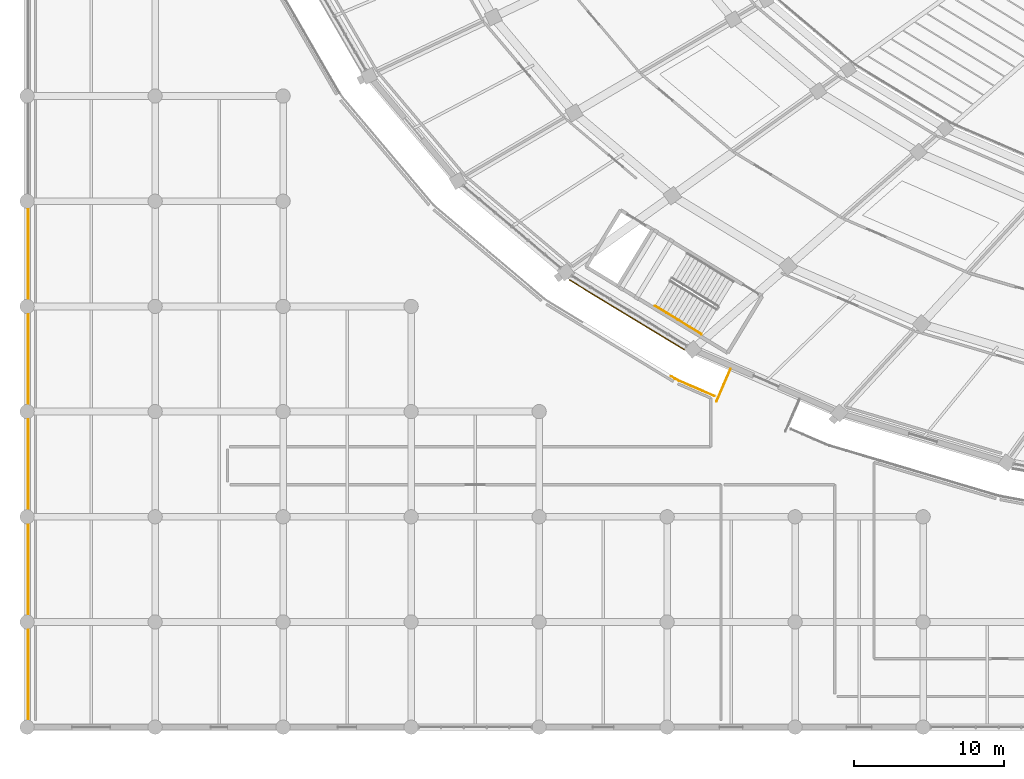
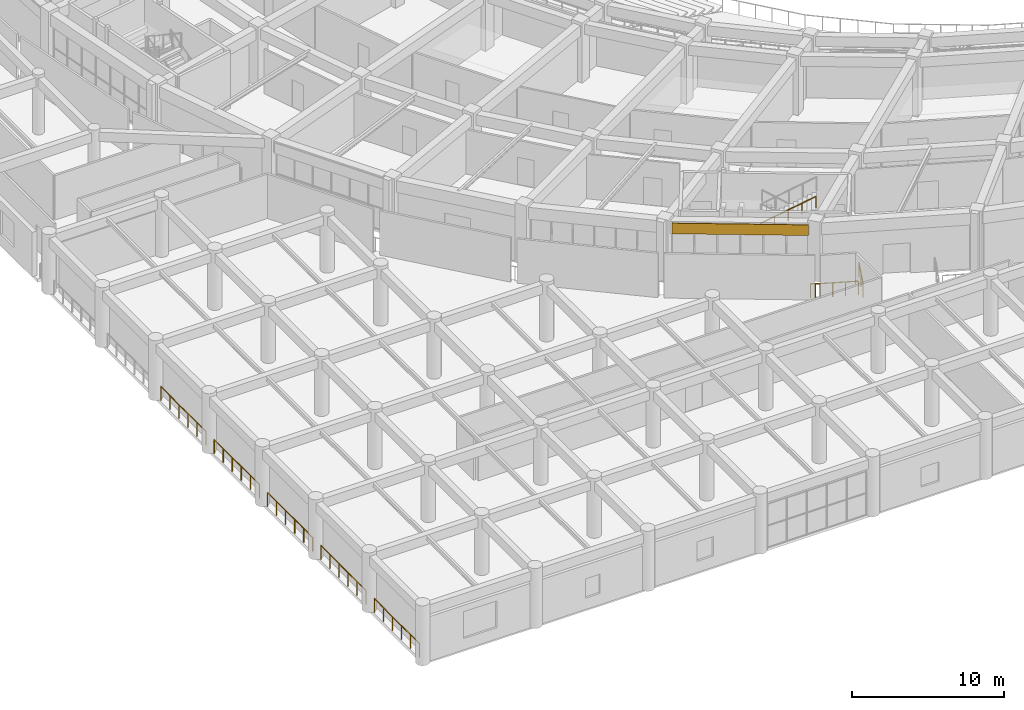
# One storey, part 120 of 152: 8 railings, 1 covering.
"""IFC4 building model written with IfcOpenShell, lengths in metres."""

from ifc_helpers import new_model, si_unit, direction, frame, origin, origin_2d, place, context, subcontext, project, spatial, rectangle, circle, extrude, material, layer, layer_set, type_object, element, save


model = new_model("IFC4")

# Units and contexts
model_context = context("Model", 3, precision=1e-05, world=origin(), true_north=direction((0.0, 1.0)))
body_context = subcontext(model_context, "Body", "Model", "MODEL_VIEW")
ifc_project = project(units=[si_unit("LENGTHUNIT", "METRE"), si_unit("AREAUNIT", "SQUARE_METRE"), si_unit("VOLUMEUNIT", "CUBIC_METRE"), si_unit("PLANEANGLEUNIT", "RADIAN"), si_unit("MASSUNIT", "GRAM", prefix="KILO")], contexts=[model_context])

# Site, building, storey
site_placement = place(None, origin())
site = spatial("IfcSite", under=ifc_project, at=site_placement, CompositionType="ELEMENT")
building_placement = place(site_placement, origin())
building = spatial("IfcBuilding", under=site, at=building_placement, Name="Mphavela Belvedere Stadium", CompositionType="ELEMENT")
storey_placement = place(building_placement, frame((0.0, 0.0, 5.39990234375)))
storey = spatial("IfcBuildingStorey", under=building, at=storey_placement, Name="L01", CompositionType="ELEMENT", Elevation=5.39990234375)

# Covering
ifc_material_1 = material(Name="Carved classical limestone entablature frieze cladding", Category="masonry")
ifc_layer = layer(ifc_material_1, 0.06005859375)
ifc_layer_set = layer_set([ifc_layer], Name="Carved classical limestone entablature frieze cladding")
covering_type = type_object("IfcCoveringType", Name="COV-FRIEZE-CLAD", PredefinedType="CLADDING", material=ifc_layer_set)
covering_placement = place(storey_placement, frame((39.90771484375, 27.43896484375, 3.594970703125), z_axis=(0.0, 0.0, 1.0), x_axis=(0.854368143929, -0.519668235165, 0.0)))
element("IfcCovering", 1, at=covering_placement, inside=storey, type_object=covering_type, Name="Classical entablature frieze cladding L01-31", PredefinedType="CLADDING", context=body_context, shape_type="SweptSolid", body=[
    extrude(rectangle(XDim=8.955810546875, YDim=0.06005859375, at=origin_2d()), origin(), (0.0, 0.0, 1.0), 0.85009765625),
])

# Railings
ifc_material_2 = material(Name="Bronze and laminated glass stadium balustrade", Category="glass")
railing_type_1 = type_object("IfcRailingType", Name="RAL-BALUSTRADE-1120", PredefinedType="BALUSTRADE", material=ifc_material_2)
railing_1_placement = place(storey_placement, frame((46.809814453125, 23.834716796875, 0.0)))
element("IfcRailing", 2, at=railing_1_placement, inside=storey, type_object=railing_type_1, Name="Colonnade link bridge balustrade L01-32A", PredefinedType="BALUSTRADE", context=body_context, shape_type="SweptSolid", body=[
    extrude(circle(Radius=0.02392578125, at=origin_2d()), frame((0.0, 0.0, 1.09619140625), z_axis=(-0.397802772945, -0.91747095531, 0.0), x_axis=(0.91747095531, -0.397802772945, 0.0)), (0.0, 0.0, 1.0), 2.349853515625),
    extrude(circle(Radius=0.02099609375, at=origin_2d()), origin(), (0.0, 0.0, 1.0), 1.072021484375),
    extrude(circle(Radius=0.02099609375, at=origin_2d()), frame((-0.46728515625, -1.078125, 0.0)), (0.0, 0.0, 1.0), 1.072021484375),
    extrude(circle(Radius=0.02099609375, at=origin_2d()), frame((-0.934814453125, -2.156005859375, 0.0)), (0.0, 0.0, 1.0), 1.072021484375),
])
railing_2_placement = place(storey_placement, frame((42.868896484375, 23.34326171875, 0.0)))
element("IfcRailing", 3, at=railing_2_placement, inside=storey, type_object=railing_type_1, Name="Peristyle wing gallery edge balustrade L01-02", PredefinedType="BALUSTRADE", context=body_context, shape_type="SweptSolid", body=[
    extrude(circle(Radius=0.02392578125, at=origin_2d()), frame((0.0, 0.0, 1.09619140625), z_axis=(0.85487840282, -0.518828407464, 0.0), x_axis=(0.518828407464, 0.85487840282, 0.0)), (0.0, 0.0, 1.0), 0.2978515625),
    extrude(circle(Radius=0.02392578125, at=origin_2d()), frame((0.254638671875, -0.154541015625, 1.09619140625), z_axis=(0.887994409277, -0.459854247661, 0.0), x_axis=(0.459854247661, 0.887994409277, 0.0)), (0.0, 0.0, 1.0), 0.307861328125),
    extrude(circle(Radius=0.02392578125, at=origin_2d()), frame((0.528076171875, -0.296142578125, 1.09619140625), z_axis=(0.917490104343, -0.397758605731, 0.0), x_axis=(0.397758605731, 0.917490104343, 0.0)), (0.0, 0.0, 1.0), 2.5380859375),
    extrude(circle(Radius=0.02099609375, at=origin_2d()), origin(), (0.0, 0.0, 1.0), 1.072021484375),
    extrude(circle(Radius=0.02099609375, at=origin_2d()), frame((0.254638671875, -0.154541015625, 0.0)), (0.0, 0.0, 1.0), 1.072021484375),
    extrude(circle(Radius=0.02099609375, at=origin_2d()), frame((0.528076171875, -0.296142578125, 0.0)), (0.0, 0.0, 1.0), 1.072021484375),
    extrude(circle(Radius=0.02099609375, at=origin_2d()), frame((1.30419921875, -0.632568359375, 0.0)), (0.0, 0.0, 1.0), 1.072021484375),
    extrude(circle(Radius=0.02099609375, at=origin_2d()), frame((2.08056640625, -0.96923828125, 0.0)), (0.0, 0.0, 1.0), 1.072021484375),
    extrude(circle(Radius=0.02099609375, at=origin_2d()), frame((2.856689453125, -1.3056640625, 0.0)), (0.0, 0.0, 1.0), 1.072021484375),
])
for number, where, name in (
    (4, (0.080078125, 0.54345703125, 0.0), "Peristyle wing gallery edge balustrade L01-16"),
    (5, (0.080078125, 7.54345703125, 0.0), "Peristyle wing gallery edge balustrade L01-17"),
    (6, (0.080078125, 14.54345703125, 0.0), "Peristyle wing gallery edge balustrade L01-18"),
    (7, (0.080078125, 21.54345703125, 0.0), "Peristyle wing gallery edge balustrade L01-19"),
    (8, (0.080078125, 28.54345703125, 0.0), "Peristyle wing gallery edge balustrade L01-20"),
):
    element("IfcRailing", number, at=place(storey_placement, frame(where)), inside=storey, type_object=railing_type_1, Name=name, PredefinedType="BALUSTRADE", context=body_context, shape_type="SweptSolid", body=[
        extrude(circle(Radius=0.02392578125, at=origin_2d()), frame((0.0, 0.0, 1.09619140625), z_axis=(0.0, 1.0, 0.0), x_axis=(-1.0, 0.0, 0.0)), (0.0, 0.0, 1.0), 5.9130859375),
        extrude(circle(Radius=0.02099609375, at=origin_2d()), origin(), (0.0, 0.0, 1.0), 1.072021484375),
        extrude(circle(Radius=0.02099609375, at=origin_2d()), frame((0.0, 1.1826171875, 0.0)), (0.0, 0.0, 1.0), 1.072021484375),
        extrude(circle(Radius=0.02099609375, at=origin_2d()), frame((0.0, 2.365234375, 0.0)), (0.0, 0.0, 1.0), 1.072021484375),
        extrude(circle(Radius=0.02099609375, at=origin_2d()), frame((0.0, 3.5478515625, 0.0)), (0.0, 0.0, 1.0), 1.072021484375),
        extrude(circle(Radius=0.02099609375, at=origin_2d()), frame((0.0, 4.73046875, 0.0)), (0.0, 0.0, 1.0), 1.072021484375),
        extrude(circle(Radius=0.02099609375, at=origin_2d()), frame((0.0, 5.9130859375, 0.0)), (0.0, 0.0, 1.0), 1.072021484375),
    ])
ifc_material_3 = material(Name="Brushed stainless steel tubular handrail", Category="steel")
railing_type_2 = type_object("IfcRailingType", Name="RAL-HANDRAIL-900", PredefinedType="HANDRAIL", material=ifc_material_3)
railing_3_placement = place(storey_placement, frame((41.787841796875, 28.03564453125, 2.584716796875)))
element("IfcRailing", 9, at=railing_3_placement, inside=storey, type_object=railing_type_2, Name="L01 ST-C10 stair handrail 2", PredefinedType="HANDRAIL", context=body_context, shape_type="SweptSolid", body=[
    extrude(circle(Radius=0.02392578125, at=origin_2d()), frame((0.0, 0.0, 0.8759765625), z_axis=(0.728951227781, -0.443394556939, 0.521566270374), x_axis=(0.519677634444, 0.854362426759, 0.0)), (0.0, 0.0, 1.0), 4.24755859375),
    extrude(circle(Radius=0.02099609375, at=origin_2d()), origin(), (0.0, 0.0, 1.0), 0.851806640625),
    extrude(circle(Radius=0.02099609375, at=origin_2d()), frame((0.77392578125, -0.470703125, 0.5537109375)), (0.0, 0.0, 1.0), 0.851806640625),
    extrude(circle(Radius=0.02099609375, at=origin_2d()), frame((1.548095703125, -0.941650390625, 1.107666015625)), (0.0, 0.0, 1.0), 0.851806640625),
    extrude(circle(Radius=0.02099609375, at=origin_2d()), frame((2.322265625, -1.41259765625, 1.66162109375)), (0.0, 0.0, 1.0), 0.851806640625),
    extrude(circle(Radius=0.02099609375, at=origin_2d()), frame((3.09619140625, -1.88330078125, 2.21533203125)), (0.0, 0.0, 1.0), 0.851806640625),
])

save(model, "model.ifc")
